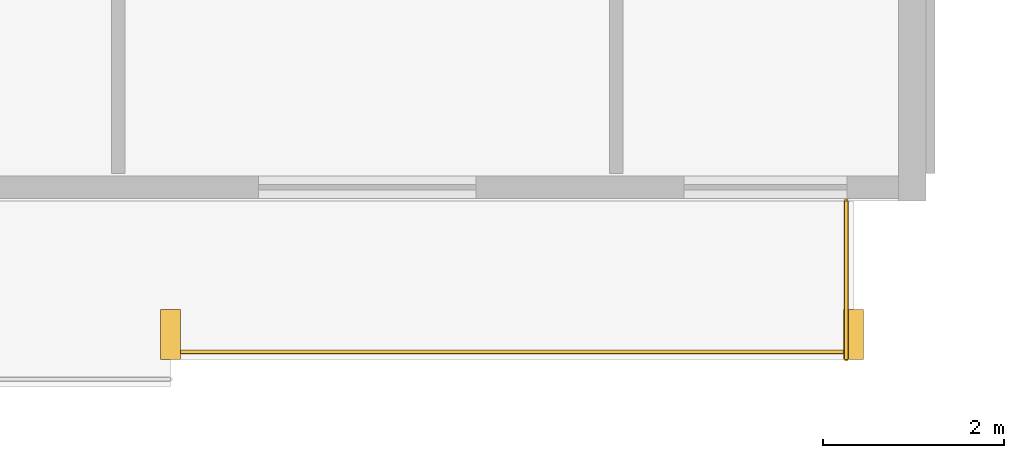
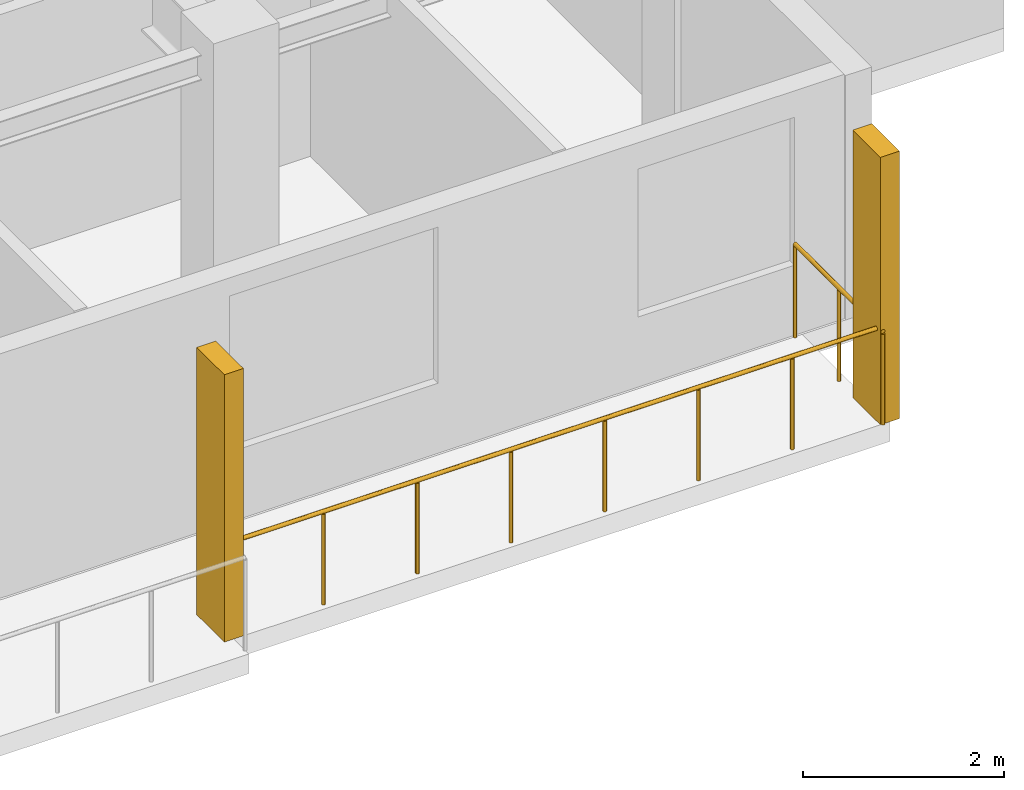
# One storey, part 21 of 23: 2 railings, 2 shading devices.
"""IFC4 building model written with IfcOpenShell, lengths in metres."""

from ifc_helpers import new_model, si_unit, direction, frame, origin, origin_2d, place, context, subcontext, project, spatial, rectangle, circle, extrude, material, type_object, element, save


model = new_model("IFC4")

# Units and contexts
model_context = context("Model", 3, precision=1e-05, world=origin(), true_north=direction((0.0, 1.0)))
body_context = subcontext(model_context, "Body", "Model", "MODEL_VIEW")
ifc_project = project(units=[si_unit("LENGTHUNIT", "METRE"), si_unit("AREAUNIT", "SQUARE_METRE"), si_unit("VOLUMEUNIT", "CUBIC_METRE"), si_unit("PLANEANGLEUNIT", "RADIAN"), si_unit("MASSUNIT", "GRAM", prefix="KILO")], contexts=[model_context])

# Site, building, storey
site_placement = place(None, origin())
site = spatial("IfcSite", under=ifc_project, at=site_placement, CompositionType="ELEMENT")
building_placement = place(site_placement, origin())
building = spatial("IfcBuilding", under=site, at=building_placement, Name="Korimba Cascade Residences", CompositionType="ELEMENT")
storey_placement = place(building_placement, frame((0.0, 0.0, 165.35009765625)))
storey = spatial("IfcBuildingStorey", under=building, at=storey_placement, Name="L47", CompositionType="ELEMENT", Elevation=165.35009765625)

# Railings
ifc_material_1 = material(Name="Laminated Glass and Bronze Balustrade", Category="glass")
railing_type = type_object("IfcRailingType", Name="RLG-LOG-1150", PredefinedType="BALUSTRADE", material=ifc_material_1)
railing_1_placement = place(storey_placement, frame((120.55712890625, -9.469970703125, 0.0)))
element("IfcRailing", 1, at=railing_1_placement, inside=storey, type_object=railing_type, Name="L47 Perimeter Guardrail RLG-L47-T2-LOG-06", PredefinedType="BALUSTRADE", context=body_context, shape_type="SweptSolid", body=[
    extrude(circle(Radius=0.02392578125, at=origin_2d()), frame((0.0, 0.0, 1.1259765625), z_axis=(1.0, 0.0, 0.0), x_axis=(0.0, 1.0, 0.0)), (0.0, 0.0, 1.0), 7.54296875),
    extrude(circle(Radius=0.02099609375, at=origin_2d()), origin(), (0.0, 0.0, 1.0), 1.101806640625),
    extrude(circle(Radius=0.02099609375, at=origin_2d()), frame((1.07763671875, 0.0, 0.0)), (0.0, 0.0, 1.0), 1.101806640625),
    extrude(circle(Radius=0.02099609375, at=origin_2d()), frame((2.155029296875, 0.0, 0.0)), (0.0, 0.0, 1.0), 1.101806640625),
    extrude(circle(Radius=0.02099609375, at=origin_2d()), frame((3.232666015625, 0.0, 0.0)), (0.0, 0.0, 1.0), 1.101806640625),
    extrude(circle(Radius=0.02099609375, at=origin_2d()), frame((4.310302734375, 0.0, 0.0)), (0.0, 0.0, 1.0), 1.101806640625),
    extrude(circle(Radius=0.02099609375, at=origin_2d()), frame((5.387939453125, 0.0, 0.0)), (0.0, 0.0, 1.0), 1.101806640625),
    extrude(circle(Radius=0.02099609375, at=origin_2d()), frame((6.46533203125, 0.0, 0.0)), (0.0, 0.0, 1.0), 1.101806640625),
    extrude(circle(Radius=0.02099609375, at=origin_2d()), frame((7.54296875, 0.0, 0.0)), (0.0, 0.0, 1.0), 1.101806640625),
])
railing_2_placement = place(storey_placement, frame((128.02001953125, -9.550048828125, 0.0)))
element("IfcRailing", 2, at=railing_2_placement, inside=storey, type_object=railing_type, Name="L47 Perimeter Guardrail RLG-L47-T2-LOG-07", PredefinedType="BALUSTRADE", context=body_context, shape_type="SweptSolid", body=[
    extrude(circle(Radius=0.02392578125, at=origin_2d()), frame((0.0, 0.0, 1.1259765625), z_axis=(0.0, 1.0, 0.0), x_axis=(-1.0, 0.0, 0.0)), (0.0, 0.0, 1.0), 1.75),
    extrude(circle(Radius=0.02099609375, at=origin_2d()), origin(), (0.0, 0.0, 1.0), 1.101806640625),
    extrude(circle(Radius=0.02099609375, at=origin_2d()), frame((0.0, 0.875, 0.0)), (0.0, 0.0, 1.0), 1.101806640625),
    extrude(circle(Radius=0.02099609375, at=origin_2d()), frame((0.0, 1.75, 0.0)), (0.0, 0.0, 1.0), 1.101806640625),
])

# Shading devices
ifc_material_2 = material(Name="Honed Sandstone Precast Fin", Category="masonry")
shading_device_type = type_object("IfcShadingDeviceType", Name="SHD-FIN-550", PredefinedType="USERDEFINED", material=ifc_material_2)
for number, where, z_axis, x_axis, name in (
    (3, (120.55712890625, -9.27490234375, 0.0), (0.0, 0.0, 1.0), (1.0, 0.0, 0.0), "L47 T2 Warm-Stone Loggia Fin 7"),
    (4, (128.10009765625, -9.27490234375, 0.0), (0.0, 0.0, 1.0), (1.0, 0.0, 0.0), "L47 T2 Warm-Stone Loggia Fin 8"),
):
    element("IfcShadingDevice", number, at=place(storey_placement, frame(where, z_axis=z_axis, x_axis=x_axis)), inside=storey, type_object=shading_device_type, Name=name, ObjectType="FIN", PredefinedType="USERDEFINED", context=body_context, shape_type="SweptSolid", body=[
        extrude(rectangle(XDim=0.219970703125, YDim=0.550048828125, at=origin_2d()), origin(), (0.0, 0.0, 1.0), 3.25),
    ])

save(model, "model.ifc")
